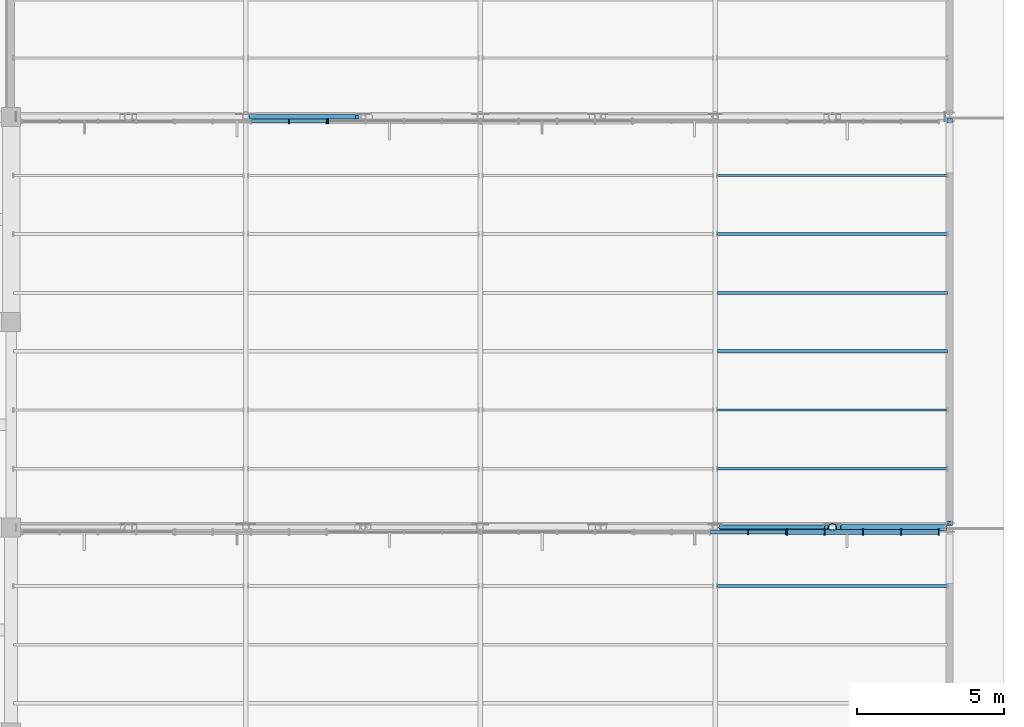
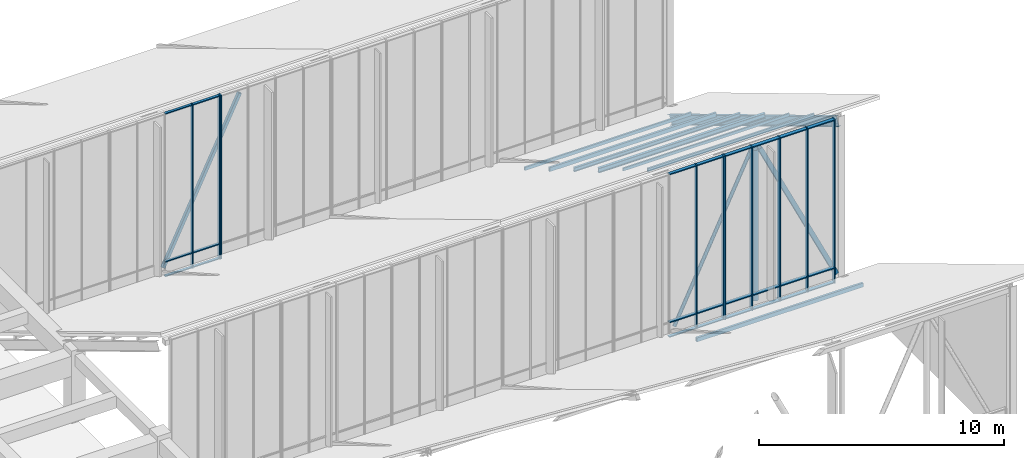
# One storey, part 68 of 155: 45 members, 1 beam, 4 elements without a shape of their own.
"""IFC4 building model written with IfcOpenShell, lengths in metres."""

from ifc_helpers import new_model, si_unit, direction, frame, origin, origin_2d, place, context, subcontext, project, spatial, rectangle, hollow_rectangle, hollow_circle, i_section, extrude, material, material_profile, profile_set, type_object, element, aggregate, save


model = new_model("IFC4")

# Units and contexts
model_context = context("Model", 3, precision=1e-05, world=origin(), true_north=direction((0.0, 1.0)))
body_context = subcontext(model_context, "Body", "Model", "MODEL_VIEW")
ifc_project = project(units=[si_unit("LENGTHUNIT", "METRE"), si_unit("AREAUNIT", "SQUARE_METRE"), si_unit("VOLUMEUNIT", "CUBIC_METRE"), si_unit("PLANEANGLEUNIT", "RADIAN"), si_unit("MASSUNIT", "GRAM", prefix="KILO")], contexts=[model_context])

# Site, building, storey
site_placement = place(None, origin())
site = spatial("IfcSite", under=ifc_project, at=site_placement, CompositionType="ELEMENT")
building_placement = place(site_placement, origin())
building = spatial("IfcBuilding", under=site, at=building_placement, Name="Larkveld Mobility Hub", CompositionType="ELEMENT")
storey_placement = place(building_placement, frame((0.0, 0.0, 8.39990234375)))
storey = spatial("IfcBuildingStorey", under=building, at=storey_placement, Name="L02", CompositionType="ELEMENT", Elevation=8.39990234375)

# Beam
ifc_material_1 = material(Name="Steel S355JR", Category="steel")
ifc_material_profile_1 = material_profile(ifc_material_1, i_section(OverallWidth=0.18994140625, OverallDepth=0.449951171875, WebThickness=0.009521484375, FlangeThickness=0.0146484375, FilletRadius=0.02099609375, at=origin_2d()), Name="IPE 450")
ifc_profile_set_1 = profile_set([ifc_material_profile_1], Name="Steel S355JR")
beam_type = type_object("IfcBeamType", Name="BM-STIPE450", PredefinedType="BEAM", material=ifc_profile_set_1)
beam_placement = place(storey_placement, frame((184.0, 98.179931640625, 7.68408203125), z_axis=(0.0, 0.857492925713, -0.514495755428), x_axis=(-1.0, 0.0, 0.0)))
element("IfcBeam", 1, at=beam_placement, inside=storey, type_object=beam_type, Name="ROOF TRUSS Sawtooth Edge Rafter B6-184", PredefinedType="BEAM", context=body_context, shape_type="SweptSolid", body=[
    extrude(i_section(OverallWidth=0.18994140625, OverallDepth=0.449951171875, WebThickness=0.009521484375, FlangeThickness=0.0146484375, FilletRadius=0.02099609375, at=origin_2d()), origin(), (0.0, 0.0, 1.0), 15.906982421875),
])

# Curtain wall, members
ifc_material_2 = material(Name="Anodised aluminium 6063-T6", Category="aluminium")
curtain_wall_type_1 = type_object("IfcCurtainWallType", Name="CW-SYS-09", PredefinedType="NOTDEFINED", material=ifc_material_2)
curtain_wall_1_placement = place(storey_placement, origin())
curtain_wall_1 = element("IfcCurtainWall", 2, at=curtain_wall_1_placement, inside=storey, type_object=curtain_wall_type_1, Name="Sawtooth South-Light Clerestory B7 CW-045", PredefinedType="NOTDEFINED")
ifc_material_profile_2 = material_profile(ifc_material_2, rectangle(XDim=0.050048828125, YDim=0.14990234375, at=origin_2d()), Name="ALU MULL 50x150")
ifc_profile_set_2 = profile_set([ifc_material_profile_2], Name="Anodised aluminium 6063-T6")
member_type_1 = type_object("IfcMemberType", Name="CW-MUL-01", PredefinedType="MULLION", material=ifc_profile_set_2)
member_1_placement = place(storey_placement, frame((161.47998046875, 111.844970703125, -0.001953125), z_axis=(0.0, 0.0, 1.0), x_axis=(1.0, 0.0, 0.0)))
member_1 = element("IfcMember", 3, at=member_1_placement, type_object=member_type_1, Name="CW09 mullion 4", PredefinedType="MULLION", context=body_context, shape_type="SweptSolid", body=[
    extrude(rectangle(XDim=0.050048828125, YDim=0.14990234375, at=origin_2d()), origin(), (0.0, 0.0, 1.0), 8.152099609375),
])
member_2_placement = place(storey_placement, frame((162.759033203125, 111.844970703125, -0.001953125), z_axis=(0.0, 0.0, 1.0), x_axis=(1.0, 0.0, 0.0)))
member_2 = element("IfcMember", 4, at=member_2_placement, type_object=member_type_1, Name="CW09 mullion 5", PredefinedType="MULLION", context=body_context, shape_type="SweptSolid", body=[
    extrude(rectangle(XDim=0.050048828125, YDim=0.14990234375, at=origin_2d()), origin(), (0.0, 0.0, 1.0), 8.152099609375),
])

curtain_wall_type_2 = type_object("IfcCurtainWallType", Name="CW-SYS-06", PredefinedType="NOTDEFINED", material=ifc_material_2)
curtain_wall_2_placement = place(storey_placement, origin())
curtain_wall_2 = element("IfcCurtainWall", 5, at=curtain_wall_2_placement, inside=storey, type_object=curtain_wall_type_2, Name="Sawtooth South-Light Clerestory B6 CW-042", PredefinedType="NOTDEFINED")
ifc_material_profile_3 = material_profile(ifc_material_2, rectangle(XDim=0.050048828125, YDim=0.179931640625, at=origin_2d()), Name="ALU MULL 50x180")
ifc_profile_set_3 = profile_set([ifc_material_profile_3], Name="Anodised aluminium 6063-T6")
member_type_2 = type_object("IfcMemberType", Name="CW-MUL-02", PredefinedType="MULLION", material=ifc_profile_set_3)
member_3_placement = place(storey_placement, frame((177.1298828125, 97.844970703125, -0.001953125), z_axis=(0.0, 0.0, 1.0), x_axis=(1.0, 0.0, 0.0)))
member_3 = element("IfcMember", 6, at=member_3_placement, type_object=member_type_2, Name="CW06 mullion 4", PredefinedType="MULLION", context=body_context, shape_type="SweptSolid", body=[
    extrude(rectangle(XDim=0.050048828125, YDim=0.179931640625, at=origin_2d()), origin(), (0.0, 0.0, 1.0), 8.152099609375),
])
member_4_placement = place(storey_placement, frame((178.408935546875, 97.844970703125, -0.001953125), z_axis=(0.0, 0.0, 1.0), x_axis=(1.0, 0.0, 0.0)))
member_4 = element("IfcMember", 7, at=member_4_placement, type_object=member_type_2, Name="CW06 mullion 5", PredefinedType="MULLION", context=body_context, shape_type="SweptSolid", body=[
    extrude(rectangle(XDim=0.050048828125, YDim=0.179931640625, at=origin_2d()), origin(), (0.0, 0.0, 1.0), 8.152099609375),
])

# Curtain wall, member
curtain_wall_type_3 = type_object("IfcCurtainWallType", Name="CW-SYS-10", PredefinedType="NOTDEFINED", material=ifc_material_2)
curtain_wall_3_placement = place(storey_placement, origin())
curtain_wall_3 = element("IfcCurtainWall", 8, at=curtain_wall_3_placement, inside=storey, type_object=curtain_wall_type_3, Name="Sawtooth South-Light Clerestory B7 CW-046", PredefinedType="NOTDEFINED")
member_5_placement = place(storey_placement, frame((162.80810546875, 111.844970703125, -0.001953125), z_axis=(0.0, 0.0, 1.0), x_axis=(1.0, 0.0, 0.0)))
member_5 = element("IfcMember", 9, at=member_5_placement, type_object=member_type_2, Name="CW10 mullion 1", PredefinedType="MULLION", context=body_context, shape_type="SweptSolid", body=[
    extrude(rectangle(XDim=0.050048828125, YDim=0.179931640625, at=origin_2d()), origin(), (0.0, 0.0, 1.0), 8.152099609375),
])
aggregate(curtain_wall_3, [member_5])

# Curtain wall, members
curtain_wall_type_4 = type_object("IfcCurtainWallType", Name="CW-SYS-07", PredefinedType="NOTDEFINED", material=ifc_material_2)
curtain_wall_4_placement = place(storey_placement, origin())
curtain_wall_4 = element("IfcCurtainWall", 10, at=curtain_wall_4_placement, inside=storey, type_object=curtain_wall_type_4, Name="Sawtooth South-Light Clerestory B6 CW-043", PredefinedType="NOTDEFINED")
ifc_material_profile_4 = material_profile(ifc_material_2, rectangle(XDim=0.050048828125, YDim=0.2099609375, at=origin_2d()), Name="ALU MULL 50x210")
ifc_profile_set_4 = profile_set([ifc_material_profile_4], Name="Anodised aluminium 6063-T6")
member_type_3 = type_object("IfcMemberType", Name="CW-MUL-03", PredefinedType="MULLION", material=ifc_profile_set_4)
member_6_placement = place(storey_placement, frame((178.4580078125, 97.844970703125, -0.001953125), z_axis=(0.0, 0.0, 1.0), x_axis=(1.0, 0.0, 0.0)))
member_6 = element("IfcMember", 11, at=member_6_placement, type_object=member_type_3, Name="CW07 mullion 1", PredefinedType="MULLION", context=body_context, shape_type="SweptSolid", body=[
    extrude(rectangle(XDim=0.050048828125, YDim=0.2099609375, at=origin_2d()), origin(), (0.0, 0.0, 1.0), 8.152099609375),
])
member_7_placement = place(storey_placement, frame((179.737060546875, 97.844970703125, -0.001953125), z_axis=(0.0, 0.0, 1.0), x_axis=(1.0, 0.0, 0.0)))
member_7 = element("IfcMember", 12, at=member_7_placement, type_object=member_type_3, Name="CW07 mullion 2", PredefinedType="MULLION", context=body_context, shape_type="SweptSolid", body=[
    extrude(rectangle(XDim=0.050048828125, YDim=0.2099609375, at=origin_2d()), origin(), (0.0, 0.0, 1.0), 8.152099609375),
])
member_8_placement = place(storey_placement, frame((181.041015625, 97.844970703125, -0.001953125), z_axis=(0.0, 0.0, 1.0), x_axis=(1.0, 0.0, 0.0)))
member_8 = element("IfcMember", 13, at=member_8_placement, type_object=member_type_3, Name="CW07 mullion 3", PredefinedType="MULLION", context=body_context, shape_type="SweptSolid", body=[
    extrude(rectangle(XDim=0.050048828125, YDim=0.2099609375, at=origin_2d()), origin(), (0.0, 0.0, 1.0), 8.152099609375),
])
member_9_placement = place(storey_placement, frame((182.344970703125, 97.844970703125, -0.001953125), z_axis=(0.0, 0.0, 1.0), x_axis=(1.0, 0.0, 0.0)))
member_9 = element("IfcMember", 14, at=member_9_placement, type_object=member_type_3, Name="CW07 mullion 4", PredefinedType="MULLION", context=body_context, shape_type="SweptSolid", body=[
    extrude(rectangle(XDim=0.050048828125, YDim=0.2099609375, at=origin_2d()), origin(), (0.0, 0.0, 1.0), 8.152099609375),
])
member_10_placement = place(storey_placement, frame((183.625, 97.844970703125, -0.001953125), z_axis=(0.0, 0.0, 1.0), x_axis=(1.0, 0.0, 0.0)))
member_10 = element("IfcMember", 15, at=member_10_placement, type_object=member_type_3, Name="CW07 mullion 5", PredefinedType="MULLION", context=body_context, shape_type="SweptSolid", body=[
    extrude(rectangle(XDim=0.050048828125, YDim=0.2099609375, at=origin_2d()), origin(), (0.0, 0.0, 1.0), 8.152099609375),
])

# Member
ifc_material_profile_5 = material_profile(ifc_material_2, rectangle(XDim=0.1201171875, YDim=0.050048828125, at=origin_2d()), Name="ALU TRAN 50x120")
ifc_profile_set_5 = profile_set([ifc_material_profile_5], Name="Anodised aluminium 6063-T6")
member_type_4 = type_object("IfcMemberType", Name="CW-TRN-01", PredefinedType="USERDEFINED", material=ifc_profile_set_5)
member_11_placement = place(storey_placement, frame((160.18994140625, 111.844970703125, 0.030029296875), z_axis=(1.0, 0.0, 0.0), x_axis=(0.0, 1.0, 0.0)))
member_11 = element("IfcMember", 16, at=member_11_placement, type_object=member_type_4, Name="CW09 transom 3.1", ObjectType="TRANSOM", PredefinedType="USERDEFINED", context=body_context, shape_type="SweptSolid", body=[
    extrude(rectangle(XDim=0.1201171875, YDim=0.050048828125, at=origin_2d()), origin(), (0.0, 0.0, 1.0), 1.275146484375),
])

member_12_placement = place(storey_placement, frame((160.18994140625, 111.844970703125, 0.75), z_axis=(1.0, 0.0, 0.0), x_axis=(0.0, 1.0, 0.0)))
member_12 = element("IfcMember", 17, at=member_12_placement, type_object=member_type_4, Name="CW09 transom 3.2", ObjectType="TRANSOM", PredefinedType="USERDEFINED", context=body_context, shape_type="SweptSolid", body=[
    extrude(rectangle(XDim=0.1201171875, YDim=0.050048828125, at=origin_2d()), origin(), (0.0, 0.0, 1.0), 1.275146484375),
])

member_13_placement = place(storey_placement, frame((160.18994140625, 111.844970703125, 8.1181640625), z_axis=(1.0, 0.0, 0.0), x_axis=(0.0, 1.0, 0.0)))
member_13 = element("IfcMember", 18, at=member_13_placement, type_object=member_type_4, Name="CW09 transom 3.3", ObjectType="TRANSOM", PredefinedType="USERDEFINED", context=body_context, shape_type="SweptSolid", body=[
    extrude(rectangle(XDim=0.1201171875, YDim=0.050048828125, at=origin_2d()), origin(), (0.0, 0.0, 1.0), 1.275146484375),
])

member_14_placement = place(storey_placement, frame((161.4951171875, 111.844970703125, 0.030029296875), z_axis=(1.0, 0.0, 0.0), x_axis=(0.0, 1.0, 0.0)))
member_14 = element("IfcMember", 19, at=member_14_placement, type_object=member_type_4, Name="CW09 transom 4.1", ObjectType="TRANSOM", PredefinedType="USERDEFINED", context=body_context, shape_type="SweptSolid", body=[
    extrude(rectangle(XDim=0.1201171875, YDim=0.050048828125, at=origin_2d()), origin(), (0.0, 0.0, 1.0), 1.25390625),
])

member_15_placement = place(storey_placement, frame((161.4951171875, 111.844970703125, 0.75), z_axis=(1.0, 0.0, 0.0), x_axis=(0.0, 1.0, 0.0)))
member_15 = element("IfcMember", 20, at=member_15_placement, type_object=member_type_4, Name="CW09 transom 4.2", ObjectType="TRANSOM", PredefinedType="USERDEFINED", context=body_context, shape_type="SweptSolid", body=[
    extrude(rectangle(XDim=0.1201171875, YDim=0.050048828125, at=origin_2d()), origin(), (0.0, 0.0, 1.0), 1.25390625),
])

member_16_placement = place(storey_placement, frame((161.4951171875, 111.844970703125, 8.1181640625), z_axis=(1.0, 0.0, 0.0), x_axis=(0.0, 1.0, 0.0)))
member_16 = element("IfcMember", 21, at=member_16_placement, type_object=member_type_4, Name="CW09 transom 4.3", ObjectType="TRANSOM", PredefinedType="USERDEFINED", context=body_context, shape_type="SweptSolid", body=[
    extrude(rectangle(XDim=0.1201171875, YDim=0.050048828125, at=origin_2d()), origin(), (0.0, 0.0, 1.0), 1.25390625),
])

aggregate(curtain_wall_1, [member_1, member_2, member_11, member_12, member_13, member_14, member_15, member_16])

ifc_material_profile_6 = material_profile(ifc_material_2, rectangle(XDim=0.14990234375, YDim=0.050048828125, at=origin_2d()), Name="ALU TRAN 50x150")
ifc_profile_set_6 = profile_set([ifc_material_profile_6], Name="Anodised aluminium 6063-T6")
member_type_5 = type_object("IfcMemberType", Name="CW-TRN-02", PredefinedType="USERDEFINED", material=ifc_profile_set_6)
member_17_placement = place(storey_placement, frame((175.840087890625, 97.844970703125, 0.030029296875), z_axis=(1.0, 0.0, 0.0), x_axis=(0.0, 1.0, 0.0)))
member_17 = element("IfcMember", 22, at=member_17_placement, type_object=member_type_5, Name="CW06 transom 3.1", ObjectType="TRANSOM", PredefinedType="USERDEFINED", context=body_context, shape_type="SweptSolid", body=[
    extrude(rectangle(XDim=0.14990234375, YDim=0.050048828125, at=origin_2d()), origin(), (0.0, 0.0, 1.0), 1.27490234375),
])

member_18_placement = place(storey_placement, frame((175.840087890625, 97.844970703125, 0.75), z_axis=(1.0, 0.0, 0.0), x_axis=(0.0, 1.0, 0.0)))
member_18 = element("IfcMember", 23, at=member_18_placement, type_object=member_type_5, Name="CW06 transom 3.2", ObjectType="TRANSOM", PredefinedType="USERDEFINED", context=body_context, shape_type="SweptSolid", body=[
    extrude(rectangle(XDim=0.14990234375, YDim=0.050048828125, at=origin_2d()), origin(), (0.0, 0.0, 1.0), 1.27490234375),
])

member_19_placement = place(storey_placement, frame((175.840087890625, 97.844970703125, 8.1181640625), z_axis=(1.0, 0.0, 0.0), x_axis=(0.0, 1.0, 0.0)))
member_19 = element("IfcMember", 24, at=member_19_placement, type_object=member_type_5, Name="CW06 transom 3.3", ObjectType="TRANSOM", PredefinedType="USERDEFINED", context=body_context, shape_type="SweptSolid", body=[
    extrude(rectangle(XDim=0.14990234375, YDim=0.050048828125, at=origin_2d()), origin(), (0.0, 0.0, 1.0), 1.27490234375),
])

member_20_placement = place(storey_placement, frame((177.14501953125, 97.844970703125, 0.030029296875), z_axis=(1.0, 0.0, 0.0), x_axis=(0.0, 1.0, 0.0)))
member_20 = element("IfcMember", 25, at=member_20_placement, type_object=member_type_5, Name="CW06 transom 4.1", ObjectType="TRANSOM", PredefinedType="USERDEFINED", context=body_context, shape_type="SweptSolid", body=[
    extrude(rectangle(XDim=0.14990234375, YDim=0.050048828125, at=origin_2d()), origin(), (0.0, 0.0, 1.0), 1.25390625),
])

member_21_placement = place(storey_placement, frame((177.14501953125, 97.844970703125, 0.75), z_axis=(1.0, 0.0, 0.0), x_axis=(0.0, 1.0, 0.0)))
member_21 = element("IfcMember", 26, at=member_21_placement, type_object=member_type_5, Name="CW06 transom 4.2", ObjectType="TRANSOM", PredefinedType="USERDEFINED", context=body_context, shape_type="SweptSolid", body=[
    extrude(rectangle(XDim=0.14990234375, YDim=0.050048828125, at=origin_2d()), origin(), (0.0, 0.0, 1.0), 1.25390625),
])

member_22_placement = place(storey_placement, frame((177.14501953125, 97.844970703125, 8.1181640625), z_axis=(1.0, 0.0, 0.0), x_axis=(0.0, 1.0, 0.0)))
member_22 = element("IfcMember", 27, at=member_22_placement, type_object=member_type_5, Name="CW06 transom 4.3", ObjectType="TRANSOM", PredefinedType="USERDEFINED", context=body_context, shape_type="SweptSolid", body=[
    extrude(rectangle(XDim=0.14990234375, YDim=0.050048828125, at=origin_2d()), origin(), (0.0, 0.0, 1.0), 1.25390625),
])

aggregate(curtain_wall_2, [member_3, member_4, member_17, member_18, member_19, member_20, member_21, member_22])

ifc_material_profile_7 = material_profile(ifc_material_2, rectangle(XDim=0.169921875, YDim=0.050048828125, at=origin_2d()), Name="ALU TRAN 50x170")
ifc_profile_set_7 = profile_set([ifc_material_profile_7], Name="Anodised aluminium 6063-T6")
member_type_6 = type_object("IfcMemberType", Name="CW-TRN-03", PredefinedType="USERDEFINED", material=ifc_profile_set_7)
member_23_placement = place(storey_placement, frame((178.468017578125, 97.844970703125, 0.030029296875), z_axis=(1.0, 0.0, 0.0), x_axis=(0.0, 1.0, 0.0)))
member_23 = element("IfcMember", 28, at=member_23_placement, type_object=member_type_6, Name="CW07 transom 1.1", ObjectType="TRANSOM", PredefinedType="USERDEFINED", context=body_context, shape_type="SweptSolid", body=[
    extrude(rectangle(XDim=0.169921875, YDim=0.050048828125, at=origin_2d()), origin(), (0.0, 0.0, 1.0), 1.25390625),
])

member_24_placement = place(storey_placement, frame((178.468017578125, 97.844970703125, 0.75), z_axis=(1.0, 0.0, 0.0), x_axis=(0.0, 1.0, 0.0)))
member_24 = element("IfcMember", 29, at=member_24_placement, type_object=member_type_6, Name="CW07 transom 1.2", ObjectType="TRANSOM", PredefinedType="USERDEFINED", context=body_context, shape_type="SweptSolid", body=[
    extrude(rectangle(XDim=0.169921875, YDim=0.050048828125, at=origin_2d()), origin(), (0.0, 0.0, 1.0), 1.25390625),
])

member_25_placement = place(storey_placement, frame((178.468017578125, 97.844970703125, 8.1181640625), z_axis=(1.0, 0.0, 0.0), x_axis=(0.0, 1.0, 0.0)))
member_25 = element("IfcMember", 30, at=member_25_placement, type_object=member_type_6, Name="CW07 transom 1.3", ObjectType="TRANSOM", PredefinedType="USERDEFINED", context=body_context, shape_type="SweptSolid", body=[
    extrude(rectangle(XDim=0.169921875, YDim=0.050048828125, at=origin_2d()), origin(), (0.0, 0.0, 1.0), 1.25390625),
])

member_26_placement = place(storey_placement, frame((179.751953125, 97.844970703125, 0.030029296875), z_axis=(1.0, 0.0, 0.0), x_axis=(0.0, 1.0, 0.0)))
member_26 = element("IfcMember", 31, at=member_26_placement, type_object=member_type_6, Name="CW07 transom 2.1", ObjectType="TRANSOM", PredefinedType="USERDEFINED", context=body_context, shape_type="SweptSolid", body=[
    extrude(rectangle(XDim=0.169921875, YDim=0.050048828125, at=origin_2d()), origin(), (0.0, 0.0, 1.0), 1.27392578125),
])

member_27_placement = place(storey_placement, frame((179.751953125, 97.844970703125, 0.75), z_axis=(1.0, 0.0, 0.0), x_axis=(0.0, 1.0, 0.0)))
member_27 = element("IfcMember", 32, at=member_27_placement, type_object=member_type_6, Name="CW07 transom 2.2", ObjectType="TRANSOM", PredefinedType="USERDEFINED", context=body_context, shape_type="SweptSolid", body=[
    extrude(rectangle(XDim=0.169921875, YDim=0.050048828125, at=origin_2d()), origin(), (0.0, 0.0, 1.0), 1.27392578125),
])

member_28_placement = place(storey_placement, frame((179.751953125, 97.844970703125, 8.1181640625), z_axis=(1.0, 0.0, 0.0), x_axis=(0.0, 1.0, 0.0)))
member_28 = element("IfcMember", 33, at=member_28_placement, type_object=member_type_6, Name="CW07 transom 2.3", ObjectType="TRANSOM", PredefinedType="USERDEFINED", context=body_context, shape_type="SweptSolid", body=[
    extrude(rectangle(XDim=0.169921875, YDim=0.050048828125, at=origin_2d()), origin(), (0.0, 0.0, 1.0), 1.27392578125),
])

member_29_placement = place(storey_placement, frame((181.055908203125, 97.844970703125, 0.030029296875), z_axis=(1.0, 0.0, 0.0), x_axis=(0.0, 1.0, 0.0)))
member_29 = element("IfcMember", 34, at=member_29_placement, type_object=member_type_6, Name="CW07 transom 3.1", ObjectType="TRANSOM", PredefinedType="USERDEFINED", context=body_context, shape_type="SweptSolid", body=[
    extrude(rectangle(XDim=0.169921875, YDim=0.050048828125, at=origin_2d()), origin(), (0.0, 0.0, 1.0), 1.275146484375),
])

member_30_placement = place(storey_placement, frame((181.055908203125, 97.844970703125, 0.75), z_axis=(1.0, 0.0, 0.0), x_axis=(0.0, 1.0, 0.0)))
member_30 = element("IfcMember", 35, at=member_30_placement, type_object=member_type_6, Name="CW07 transom 3.2", ObjectType="TRANSOM", PredefinedType="USERDEFINED", context=body_context, shape_type="SweptSolid", body=[
    extrude(rectangle(XDim=0.169921875, YDim=0.050048828125, at=origin_2d()), origin(), (0.0, 0.0, 1.0), 1.275146484375),
])

member_31_placement = place(storey_placement, frame((181.055908203125, 97.844970703125, 8.1181640625), z_axis=(1.0, 0.0, 0.0), x_axis=(0.0, 1.0, 0.0)))
member_31 = element("IfcMember", 36, at=member_31_placement, type_object=member_type_6, Name="CW07 transom 3.3", ObjectType="TRANSOM", PredefinedType="USERDEFINED", context=body_context, shape_type="SweptSolid", body=[
    extrude(rectangle(XDim=0.169921875, YDim=0.050048828125, at=origin_2d()), origin(), (0.0, 0.0, 1.0), 1.275146484375),
])

member_32_placement = place(storey_placement, frame((182.361083984375, 97.844970703125, 0.030029296875), z_axis=(1.0, 0.0, 0.0), x_axis=(0.0, 1.0, 0.0)))
member_32 = element("IfcMember", 37, at=member_32_placement, type_object=member_type_6, Name="CW07 transom 4.1", ObjectType="TRANSOM", PredefinedType="USERDEFINED", context=body_context, shape_type="SweptSolid", body=[
    extrude(rectangle(XDim=0.169921875, YDim=0.050048828125, at=origin_2d()), origin(), (0.0, 0.0, 1.0), 1.25390625),
])

member_33_placement = place(storey_placement, frame((182.361083984375, 97.844970703125, 0.75), z_axis=(1.0, 0.0, 0.0), x_axis=(0.0, 1.0, 0.0)))
member_33 = element("IfcMember", 38, at=member_33_placement, type_object=member_type_6, Name="CW07 transom 4.2", ObjectType="TRANSOM", PredefinedType="USERDEFINED", context=body_context, shape_type="SweptSolid", body=[
    extrude(rectangle(XDim=0.169921875, YDim=0.050048828125, at=origin_2d()), origin(), (0.0, 0.0, 1.0), 1.25390625),
])

member_34_placement = place(storey_placement, frame((182.361083984375, 97.844970703125, 8.1181640625), z_axis=(1.0, 0.0, 0.0), x_axis=(0.0, 1.0, 0.0)))
member_34 = element("IfcMember", 39, at=member_34_placement, type_object=member_type_6, Name="CW07 transom 4.3", ObjectType="TRANSOM", PredefinedType="USERDEFINED", context=body_context, shape_type="SweptSolid", body=[
    extrude(rectangle(XDim=0.169921875, YDim=0.050048828125, at=origin_2d()), origin(), (0.0, 0.0, 1.0), 1.25390625),
])

aggregate(curtain_wall_4, [member_6, member_7, member_8, member_9, member_10, member_23, member_24, member_25, member_26, member_27, member_28, member_29, member_30, member_31, member_32, member_33, member_34])

# Members
ifc_material_profile_8 = material_profile(ifc_material_1, hollow_circle(Radius=0.084228515625, WallThickness=0.008056640625, at=origin_2d()), Name="CHS 168.3x8")
ifc_profile_set_8 = profile_set([ifc_material_profile_8], Name="Steel S355JR")
member_type_7 = type_object("IfcMemberType", Name="MB-BR-CHS168", PredefinedType="BRACE", material=ifc_profile_set_8)
member_35_placement = place(storey_placement, frame((176.199951171875, 98.0, 0.32421875), z_axis=(0.432694817509, 0.0, 0.901540456608), x_axis=(0.0, 1.0, 0.0)))
element("IfcMember", 40, at=member_35_placement, inside=storey, type_object=member_type_7, Name="ROOF TRUSS T6 Web Diagonal 7", PredefinedType="BRACE", context=body_context, shape_type="SweptSolid", body=[
    extrude(hollow_circle(Radius=0.084228515625, WallThickness=0.008056640625, at=origin_2d()), origin(), (0.0, 0.0, 1.0), 8.320068359375),
])
ifc_material_profile_9 = material_profile(ifc_material_1, hollow_circle(Radius=0.136474609375, WallThickness=0.012451171875, at=origin_2d()), Name="CHS 273x12.5")
ifc_profile_set_9 = profile_set([ifc_material_profile_9], Name="Steel S355JR")
member_type_8 = type_object("IfcMemberType", Name="MB-BR-CHS273", PredefinedType="BRACE", material=ifc_profile_set_9)
member_36_placement = place(storey_placement, frame((180.0, 98.0, 0.32421875), z_axis=(0.0, 0.0, 1.0), x_axis=(1.0, 0.0, 0.0)))
element("IfcMember", 41, at=member_36_placement, inside=storey, type_object=member_type_8, Name="ROOF TRUSS T6 Vertical Post 7", PredefinedType="BRACE", context=body_context, shape_type="SweptSolid", body=[
    extrude(hollow_circle(Radius=0.136474609375, WallThickness=0.012451171875, at=origin_2d()), origin(), (0.0, 0.0, 1.0), 7.5009765625),
])
ifc_material_profile_10 = material_profile(ifc_material_1, hollow_rectangle(XDim=0.14990234375, YDim=0.14990234375, WallThickness=0.008056640625, at=origin_2d()), Name="SHS 150x150x8")
ifc_profile_set_10 = profile_set([ifc_material_profile_10], Name="Steel S355JR")
member_type_9 = type_object("IfcMemberType", Name="MB-BR-SHS150", PredefinedType="BRACE", material=ifc_profile_set_10)
member_37_placement = place(storey_placement, frame((160.199951171875, 112.0, 0.360107421875), z_axis=(0.435573281392, 0.0, 0.900153273914), x_axis=(0.0, 1.0, 0.0)))
element("IfcMember", 42, at=member_37_placement, inside=storey, type_object=member_type_9, Name="ROOF TRUSS T7 Web Diagonal 3", PredefinedType="BRACE", context=body_context, shape_type="SweptSolid", body=[
    extrude(hollow_rectangle(XDim=0.14990234375, YDim=0.14990234375, WallThickness=0.008056640625, at=origin_2d()), origin(), (0.0, 0.0, 1.0), 8.26513671875),
])
ifc_material_profile_11 = material_profile(ifc_material_1, hollow_rectangle(XDim=0.199951171875, YDim=0.199951171875, WallThickness=0.010009765625, at=origin_2d()), Name="SHS 200x200x10")
ifc_profile_set_11 = profile_set([ifc_material_profile_11], Name="Steel S355JR")
member_type_10 = type_object("IfcMemberType", Name="MB-BR-SHS200", PredefinedType="BRACE", material=ifc_profile_set_11)
member_38_placement = place(storey_placement, frame((180.199951171875, 98.0, 7.8251953125), z_axis=(0.432694817509, 0.0, -0.901540456608), x_axis=(0.0, 1.0, 0.0)))
element("IfcMember", 43, at=member_38_placement, inside=storey, type_object=member_type_10, Name="ROOF TRUSS T6 Web Diagonal 8", PredefinedType="BRACE", context=body_context, shape_type="SweptSolid", body=[
    extrude(hollow_rectangle(XDim=0.199951171875, YDim=0.199951171875, WallThickness=0.010009765625, at=origin_2d()), origin(), (0.0, 0.0, 1.0), 8.320068359375),
])
ifc_material_profile_12 = material_profile(ifc_material_1, i_section(OverallWidth=0.10009765625, OverallDepth=0.199951171875, WebThickness=0.005615234375, FlangeThickness=0.008544921875, FilletRadius=0.011962890625, at=origin_2d()), Name="IPE 200")
ifc_profile_set_12 = profile_set([ifc_material_profile_12], Name="Steel S355JR")
member_type_11 = type_object("IfcMemberType", Name="MB-PR-IPE200", PredefinedType="PURLIN", material=ifc_profile_set_12)
member_39_placement = place(storey_placement, frame((176.080078125, 106.0, 3.30712890625), z_axis=(1.0, 0.0, 0.0), x_axis=(0.0, 1.0, 0.0)))
element("IfcMember", 44, at=member_39_placement, inside=storey, type_object=member_type_11, Name="Sawtooth Roof Purlin B6-4.4", PredefinedType="PURLIN", context=body_context, shape_type="SweptSolid", body=[
    extrude(i_section(OverallWidth=0.10009765625, OverallDepth=0.199951171875, WebThickness=0.005615234375, FlangeThickness=0.008544921875, FilletRadius=0.011962890625, at=origin_2d()), origin(), (0.0, 0.0, 1.0), 7.83984375),
])
ifc_material_profile_13 = material_profile(ifc_material_1, i_section(OverallWidth=0.1201171875, OverallDepth=0.239990234375, WebThickness=0.006103515625, FlangeThickness=0.009765625, FilletRadius=0.014892578125, at=origin_2d()), Name="IPE 240")
ifc_profile_set_13 = profile_set([ifc_material_profile_13], Name="Steel S355JR")
member_type_12 = type_object("IfcMemberType", Name="MB-PR-IPE240", PredefinedType="PURLIN", material=ifc_profile_set_13)
member_40_placement = place(storey_placement, frame((176.080078125, 104.0, 4.487060546875), z_axis=(1.0, 0.0, 0.0), x_axis=(0.0, 1.0, 0.0)))
element("IfcMember", 45, at=member_40_placement, inside=storey, type_object=member_type_12, Name="Sawtooth Roof Purlin B6-3.4", PredefinedType="PURLIN", context=body_context, shape_type="SweptSolid", body=[
    extrude(i_section(OverallWidth=0.1201171875, OverallDepth=0.239990234375, WebThickness=0.006103515625, FlangeThickness=0.009765625, FilletRadius=0.014892578125, at=origin_2d()), origin(), (0.0, 0.0, 1.0), 7.83984375),
])
ifc_material_profile_14 = material_profile(ifc_material_1, hollow_rectangle(XDim=0.070068359375, YDim=0.139892578125, WallThickness=0.00634765625, at=origin_2d()), Name="RHS 140x70x6.3")
ifc_profile_set_14 = profile_set([ifc_material_profile_14], Name="Steel S355JR")
member_type_13 = type_object("IfcMemberType", Name="MB-PR-RHS140", PredefinedType="PURLIN", material=ifc_profile_set_14)
member_41_placement = place(storey_placement, frame((176.080078125, 102.0, 5.737060546875), z_axis=(1.0, 0.0, 0.0), x_axis=(0.0, 1.0, 0.0)))
element("IfcMember", 46, at=member_41_placement, inside=storey, type_object=member_type_13, Name="Sawtooth Roof Purlin B6-2.4", PredefinedType="PURLIN", context=body_context, shape_type="SweptSolid", body=[
    extrude(hollow_rectangle(XDim=0.070068359375, YDim=0.139892578125, WallThickness=0.00634765625, at=origin_2d()), origin(), (0.0, 0.0, 1.0), 7.83984375),
])
ifc_material_profile_15 = material_profile(ifc_material_1, hollow_rectangle(XDim=0.080078125, YDim=0.159912109375, WallThickness=0.008056640625, at=origin_2d()), Name="RHS 160x80x8")
ifc_profile_set_15 = profile_set([ifc_material_profile_15], Name="Steel S355JR")
member_type_14 = type_object("IfcMemberType", Name="MB-PR-RHS160", PredefinedType="PURLIN", material=ifc_profile_set_15)
for number, where, z_axis, x_axis, name in (
    (47, (176.080078125, 100.0, 6.927001953125), (1.0, 0.0, 0.0), (0.0, 1.0, 0.0), "Sawtooth Roof Purlin B6-1.4"),
    (48, (176.080078125, 110.0, 0.927001953125), (1.0, 0.0, 0.0), (0.0, 1.0, 0.0), "Sawtooth Roof Purlin B6-6.4"),
):
    element("IfcMember", number, at=place(storey_placement, frame(where, z_axis=z_axis, x_axis=x_axis)), inside=storey, type_object=member_type_14, Name=name, PredefinedType="PURLIN", context=body_context, shape_type="SweptSolid", body=[
        extrude(hollow_rectangle(XDim=0.080078125, YDim=0.159912109375, WallThickness=0.008056640625, at=origin_2d()), origin(), (0.0, 0.0, 1.0), 7.83984375),
    ])
ifc_material_profile_16 = material_profile(ifc_material_1, hollow_rectangle(XDim=0.10009765625, YDim=0.199951171875, WallThickness=0.008056640625, at=origin_2d()), Name="RHS 200x100x8")
ifc_profile_set_16 = profile_set([ifc_material_profile_16], Name="Steel S355JR")
member_type_15 = type_object("IfcMemberType", Name="MB-PR-RHS200", PredefinedType="PURLIN", material=ifc_profile_set_16)
for number, where, z_axis, x_axis, name in (
    (49, (176.080078125, 96.0, 0.906982421875), (1.0, 0.0, 0.0), (0.0, 1.0, 0.0), "Sawtooth Roof Purlin B5-6.4"),
    (50, (176.080078125, 108.0, 2.107177734375), (1.0, 0.0, 0.0), (0.0, 1.0, 0.0), "Sawtooth Roof Purlin B6-5.4"),
):
    element("IfcMember", number, at=place(storey_placement, frame(where, z_axis=z_axis, x_axis=x_axis)), inside=storey, type_object=member_type_15, Name=name, PredefinedType="PURLIN", context=body_context, shape_type="SweptSolid", body=[
        extrude(hollow_rectangle(XDim=0.10009765625, YDim=0.199951171875, WallThickness=0.008056640625, at=origin_2d()), origin(), (0.0, 0.0, 1.0), 7.83984375),
    ])

save(model, "model.ifc")
